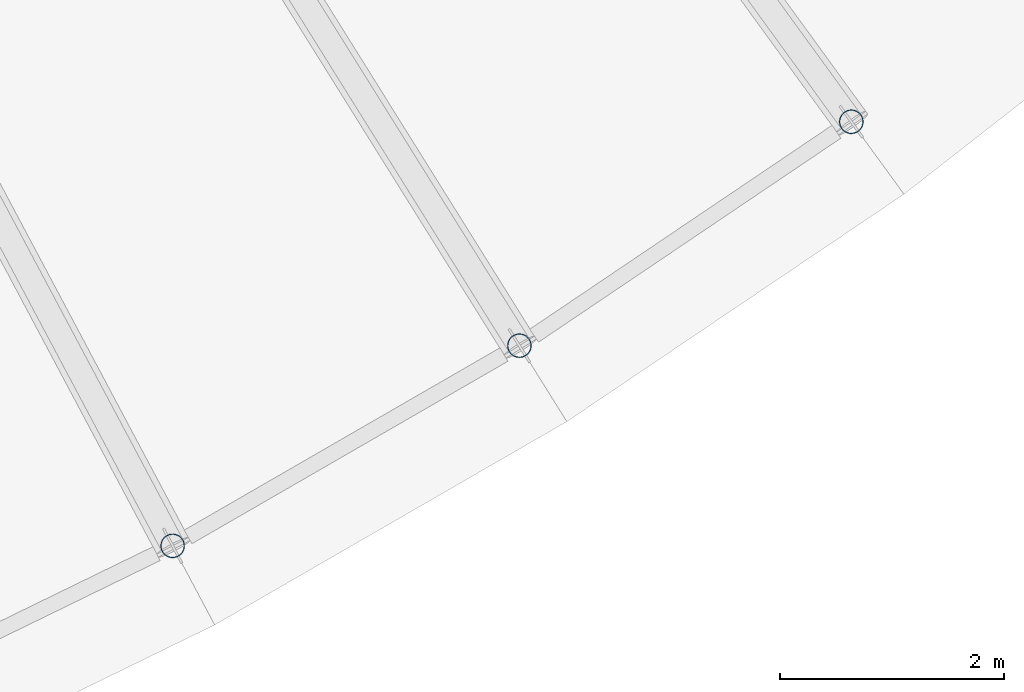
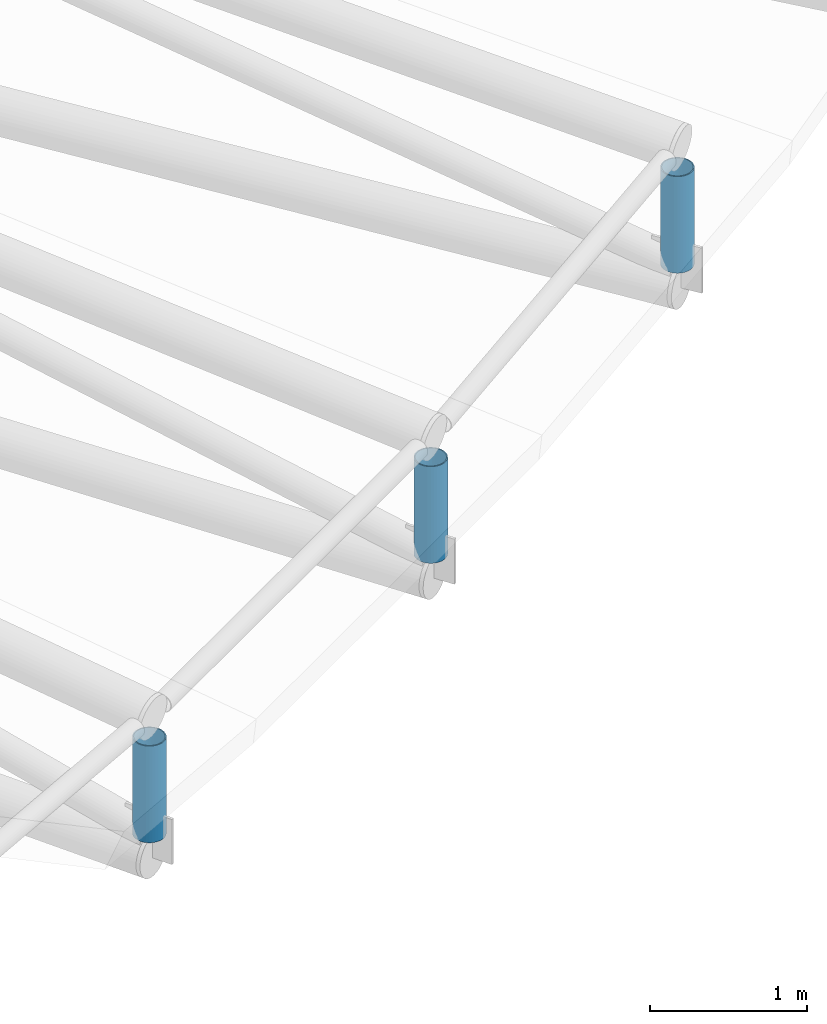
# One storey, part 80 of 163: 3 members.
"""IFC4 building model written with IfcOpenShell, lengths in metres."""

from ifc_helpers import new_model, si_unit, direction, frame, origin, origin_2d, place, context, subcontext, project, spatial, hollow_circle, extrude, material, material_profile, profile_set, type_object, element, save


model = new_model("IFC4")

# Units and contexts
model_context = context("Model", 3, precision=1e-05, world=origin(), true_north=direction((0.0, 1.0)))
body_context = subcontext(model_context, "Body", "Model", "MODEL_VIEW")
ifc_project = project(units=[si_unit("LENGTHUNIT", "METRE"), si_unit("AREAUNIT", "SQUARE_METRE"), si_unit("VOLUMEUNIT", "CUBIC_METRE"), si_unit("PLANEANGLEUNIT", "RADIAN"), si_unit("MASSUNIT", "GRAM", prefix="KILO")], contexts=[model_context])

# Site, building, storey
site_placement = place(None, origin())
site = spatial("IfcSite", under=ifc_project, at=site_placement, CompositionType="ELEMENT")
building_placement = place(site_placement, origin())
building = spatial("IfcBuilding", under=site, at=building_placement, Name="Rain Tree Exposition and Congress Centre", CompositionType="ELEMENT")
storey_placement = place(building_placement, frame((0.0, 0.0, 10.5)))
storey = spatial("IfcBuildingStorey", under=building, at=storey_placement, Name="L02", CompositionType="ELEMENT", Elevation=10.5)

# Members
ifc_material = material(Name="Steel S355J2H", Category="steel")
ifc_material_profile = material_profile(ifc_material, hollow_circle(Radius=0.108154296875, WallThickness=0.008056640625, at=origin_2d()), Name="CHS 216x8")
ifc_profile_set = profile_set([ifc_material_profile], Name="Steel S355J2H")
member_type = type_object("IfcMemberType", Name="Steel post member CHS 216x8", PredefinedType="POST", material=ifc_profile_set)
for number, where, z_axis, x_axis, name in (
    (1, (225.636962890625, 21.9931640625, 0.318603515625), (0.0, 0.0, 1.0), (1.0, 0.0, 0.0), "TP17-0"),
    (2, (228.73193359375, 23.77978515625, 0.318603515625), (0.0, 0.0, 1.0), (1.0, 0.0, 0.0), "TP18-0"),
    (3, (231.694580078125, 25.7783203125, 0.318603515625), (0.0, 0.0, 1.0), (1.0, 0.0, 0.0), "TP19-0"),
):
    element("IfcMember", number, at=place(storey_placement, frame(where, z_axis=z_axis, x_axis=x_axis)), inside=storey, type_object=member_type, Name=name, PredefinedType="POST", context=body_context, shape_type="SweptSolid", body=[
        extrude(hollow_circle(Radius=0.108154296875, WallThickness=0.008056640625, at=origin_2d()), origin(), (0.0, 0.0, 1.0), 0.74951171875),
    ])

save(model, "model.ifc")
